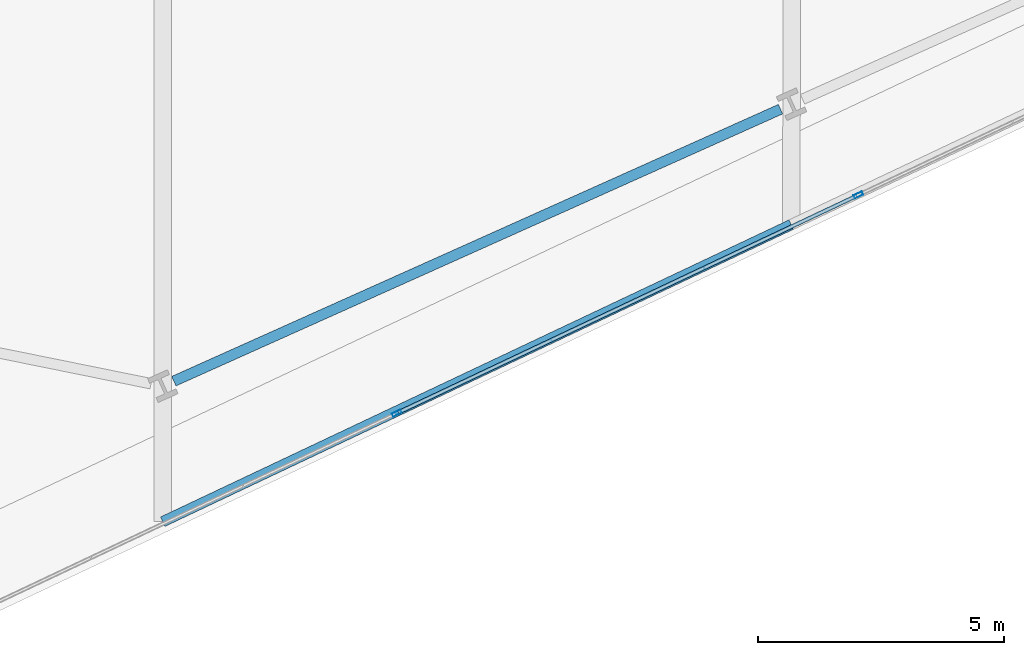
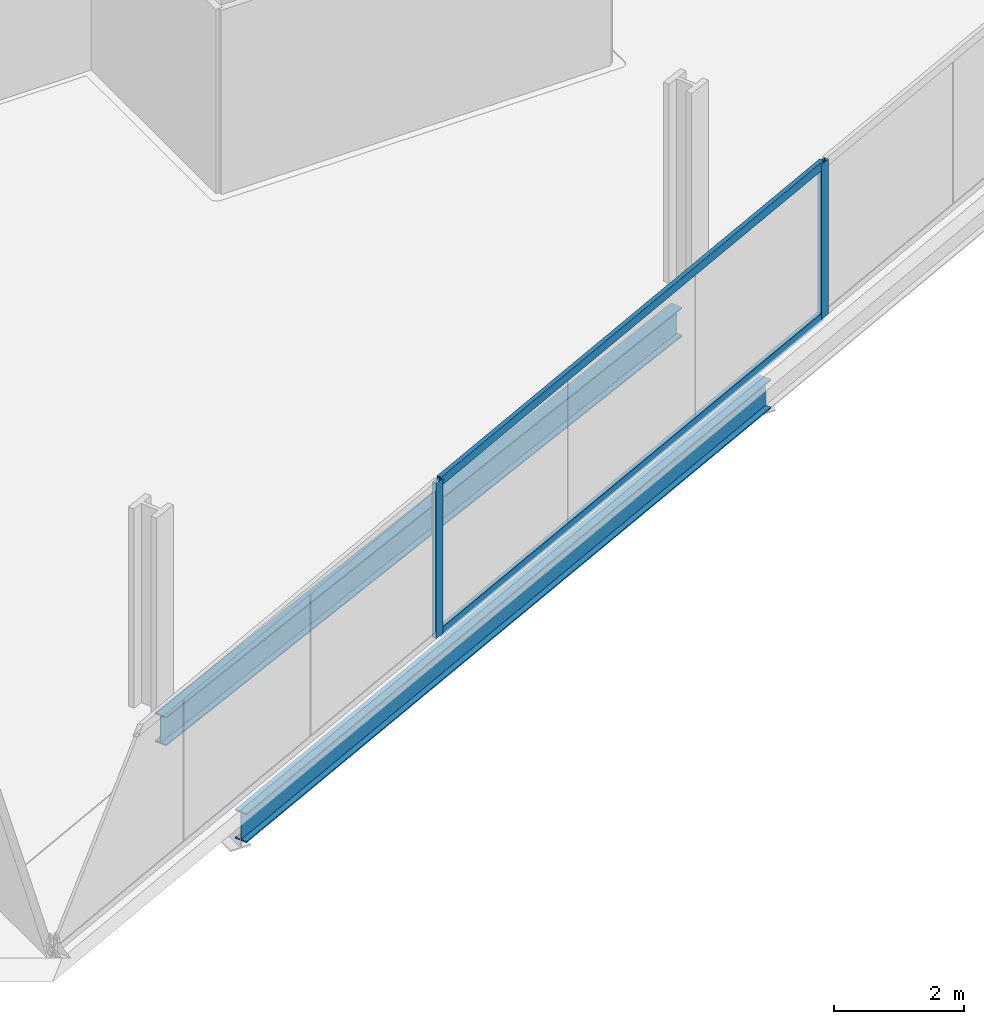
# One storey, part 7 of 34: 4 members, 2 beams, 1 element without a shape of its own.
"""IFC4 building model written with IfcOpenShell, lengths in metres."""

from ifc_helpers import new_model, si_unit, direction, frame, origin, origin_2d, place, context, subcontext, project, spatial, hollow_rectangle, i_section, extrude, material, material_profile, profile_set, type_object, element, aggregate, save


model = new_model("IFC4")

# Units and contexts
model_context = context("Model", 3, precision=1e-05, world=origin(), true_north=direction((0.0, 1.0)))
body_context = subcontext(model_context, "Body", "Model", "MODEL_VIEW")
ifc_project = project(units=[si_unit("LENGTHUNIT", "METRE"), si_unit("AREAUNIT", "SQUARE_METRE"), si_unit("VOLUMEUNIT", "CUBIC_METRE"), si_unit("PLANEANGLEUNIT", "RADIAN"), si_unit("MASSUNIT", "GRAM", prefix="KILO")], contexts=[model_context])

# Site, building, storey
site_placement = place(None, origin())
site = spatial("IfcSite", under=ifc_project, at=site_placement, CompositionType="ELEMENT")
building_placement = place(site_placement, origin())
building = spatial("IfcBuilding", under=site, at=building_placement, Name="Haldenkirk Collegiate Tower", CompositionType="ELEMENT")
storey_placement = place(building_placement, frame((0.0, 0.0, 112.949951171875)))
storey = spatial("IfcBuildingStorey", under=building, at=storey_placement, Name="L27", CompositionType="ELEMENT", Elevation=112.949951171875)

# Beams
ifc_material_1 = material(Name="Steel ASTM A992 Grade 50", Category="steel")
ifc_material_profile_1 = material_profile(ifc_material_1, i_section(OverallWidth=0.2119140625, OverallDepth=0.5439453125, WebThickness=0.01318359375, FlangeThickness=0.021240234375, at=origin_2d()), Name="W21X83")
ifc_profile_set_1 = profile_set([ifc_material_profile_1], Name="Steel ASTM A992 Grade 50")
beam_type = type_object("IfcBeamType", Name="BM-SPANDREL-W21X83", PredefinedType="SPANDREL", material=ifc_profile_set_1)
beam_1_placement = place(storey_placement, frame((32.405517578125, 0.3876953125, -0.572021484375), z_axis=(0.912476765144, 0.409128528793, 0.0), x_axis=(-0.409128528793, 0.912476765144, 0.0)))
element("IfcBeam", 1, at=beam_1_placement, inside=storey, type_object=beam_type, Name="L27 perimeter spandrel beam 02", PredefinedType="SPANDREL", context=body_context, shape_type="SweptSolid", body=[
    extrude(i_section(OverallWidth=0.2119140625, OverallDepth=0.5439453125, WebThickness=0.01318359375, FlangeThickness=0.021240234375, at=origin_2d()), origin(), (0.0, 0.0, 1.0), 13.512939453125),
])
beam_2_placement = place(storey_placement, frame((32.181396484375, -2.46728515625, -0.572021484375), z_axis=(0.904085258435, 0.427352132885, 0.0), x_axis=(-0.427352132885, 0.904085258435, 0.0)))
element("IfcBeam", 2, at=beam_2_placement, inside=storey, type_object=beam_type, Name="L27 outer facade edge beam 1A", PredefinedType="SPANDREL", context=body_context, shape_type="SweptSolid", body=[
    extrude(i_section(OverallWidth=0.2119140625, OverallDepth=0.5439453125, WebThickness=0.01318359375, FlangeThickness=0.021240234375, at=origin_2d()), origin(), (0.0, 0.0, 1.0), 14.125),
])

# Curtain wall, members
ifc_material_2 = material(Name="Anodised architectural bronze aluminium", Category="aluminium")
curtain_wall_type = type_object("IfcCurtainWallType", Name="CW-SYS2-CONCAVE", PredefinedType="USERDEFINED", material=ifc_material_2)
curtain_wall_placement = place(storey_placement, origin())
curtain_wall = element("IfcCurtainWall", 3, at=curtain_wall_placement, inside=storey, type_object=curtain_wall_type, Name="L27 South concave recessed bronze-anodised curtain wall", ObjectType="UNITISED CURTAIN WALL", PredefinedType="USERDEFINED")
ifc_material_profile_2 = material_profile(ifc_material_2, hollow_rectangle(XDim=0.074951171875, YDim=0.18994140625, WallThickness=0.0048828125, at=origin_2d()), Name="CW-MUL-02")
ifc_profile_set_2 = profile_set([ifc_material_profile_2], Name="Anodised architectural bronze aluminium")
member_type_1 = type_object("IfcMemberType", Name="CW-MUL-02", PredefinedType="MULLION", material=ifc_profile_set_2)
member_1_placement = place(storey_placement, frame((46.318603515625, 4.1708984375, 0.0), z_axis=(0.0, 0.0, 1.0), x_axis=(0.42735906226, -0.904081982955, 0.0)))
member_1 = element("IfcMember", 4, at=member_1_placement, type_object=member_type_1, Name="CW-02 mullion 3", PredefinedType="MULLION", context=body_context, shape_type="SweptSolid", body=[
    extrude(hollow_rectangle(XDim=0.074951171875, YDim=0.18994140625, WallThickness=0.0048828125, at=origin_2d()), origin(), (0.0, 0.0, 1.0), 2.901123046875),
])
member_2_placement = place(storey_placement, frame((36.938720703125, -0.262939453125, 0.0), z_axis=(0.0, 0.0, 1.0), x_axis=(0.42735906226, -0.904081982955, 0.0)))
member_2 = element("IfcMember", 5, at=member_2_placement, type_object=member_type_1, Name="CW-02 mullion 4", PredefinedType="MULLION", context=body_context, shape_type="SweptSolid", body=[
    extrude(hollow_rectangle(XDim=0.074951171875, YDim=0.18994140625, WallThickness=0.0048828125, at=origin_2d()), origin(), (0.0, 0.0, 1.0), 2.901123046875),
])
ifc_material_profile_3 = material_profile(ifc_material_2, hollow_rectangle(XDim=0.074951171875, YDim=0.159912109375, WallThickness=0.0048828125, at=origin_2d()), Name="CW-TRN-02")
ifc_profile_set_3 = profile_set([ifc_material_profile_3], Name="Anodised architectural bronze aluminium")
member_type_2 = type_object("IfcMemberType", Name="CW-TRN-02", PredefinedType="USERDEFINED", material=ifc_profile_set_3)
member_3_placement = place(storey_placement, frame((46.28466796875, 4.15478515625, 0.03759765625), z_axis=(-0.904088418125, -0.427345448335, 0.0), x_axis=(0.427345448335, -0.904088418125, 0.0)))
member_3 = element("IfcMember", 6, at=member_3_placement, type_object=member_type_2, Name="CW-02 transom 3.1", ObjectType="TRANSOM", PredefinedType="USERDEFINED", context=body_context, shape_type="SweptSolid", body=[
    extrude(hollow_rectangle(XDim=0.074951171875, YDim=0.159912109375, WallThickness=0.0048828125, at=origin_2d()), origin(), (0.0, 0.0, 1.0), 10.2998046875),
])
member_4_placement = place(storey_placement, frame((46.28466796875, 4.15478515625, 2.863525390625), z_axis=(-0.904088418125, -0.427345448335, 0.0), x_axis=(0.427345448335, -0.904088418125, 0.0)))
member_4 = element("IfcMember", 7, at=member_4_placement, type_object=member_type_2, Name="CW-02 transom 3.2", ObjectType="TRANSOM", PredefinedType="USERDEFINED", context=body_context, shape_type="SweptSolid", body=[
    extrude(hollow_rectangle(XDim=0.074951171875, YDim=0.159912109375, WallThickness=0.0048828125, at=origin_2d()), origin(), (0.0, 0.0, 1.0), 10.2998046875),
])
aggregate(curtain_wall, [member_1, member_2, member_3, member_4])

save(model, "model.ifc")
